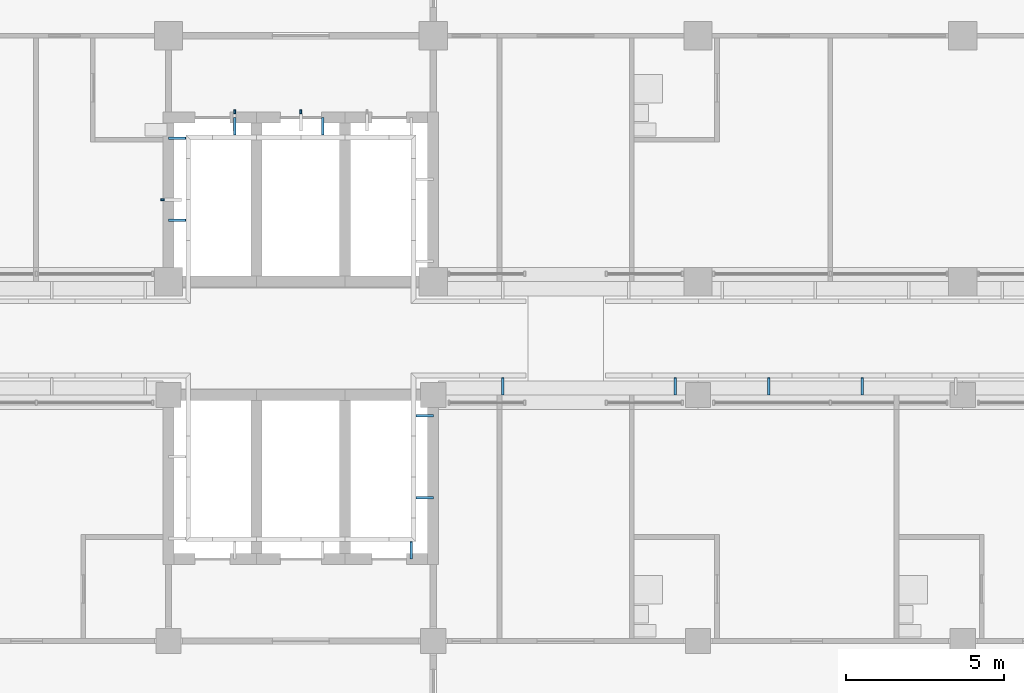
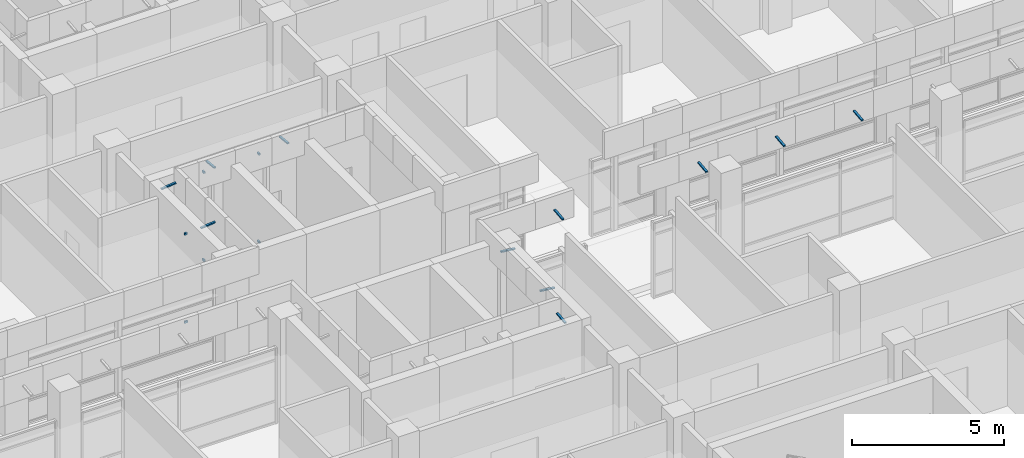
# One storey, part 100 of 137: 17 discrete accessories.
"""IFC4 building model written with IfcOpenShell, lengths in metres."""

import ifcopenshell
import ifcopenshell.guid

model = None  # the IFC model being written
_history = None  # IfcOwnerHistory: only IFC2X3 demands one
_inside = {}  # id of a spatial element -> (the spatial element, [elements in it])
_under = {}  # id of a project, library or spatial element -> (it, [spatial elements below it])
_declared = {}  # id of a project -> (the project, [libraries it declares])
_typed = {}  # id of a type object -> (the type object, [elements of that type])
_made_of = {}  # id of a material, layer set ... -> (it, [elements and type objects made of it])


def new_model(schema):
    """Start an empty IFC model of exactly this schema.

    Asked for "IFC4X3", IfcOpenShell would pick the latest addendum, in which some entities
    have other attributes; the version numbers below select the first issue.
    IFC2X3 requires an IfcOwnerHistory on every rooted entity: one is made here for all.
    """
    global model, _history
    if schema == "IFC4X3":
        model = ifcopenshell.file(schema_version=(4, 3, 0, 0))
    else:
        model = ifcopenshell.file(schema=schema)
    _inside.clear()
    _under.clear()
    _declared.clear()
    _typed.clear()
    _made_of.clear()
    _history = None
    if model.schema == "IFC2X3":
        org = make("IfcOrganization", Name="unknown")
        user = make(
            "IfcPersonAndOrganization",
            ThePerson=make("IfcPerson", FamilyName="unknown"),
            TheOrganization=org,
        )
        app = make(
            "IfcApplication",
            ApplicationDeveloper=org,
            Version="unknown",
            ApplicationFullName="unknown",
            ApplicationIdentifier="unknown",
        )
        _history = make(
            "IfcOwnerHistory",
            OwningUser=user,
            OwningApplication=app,
            ChangeAction="ADDED",
            CreationDate=0,
        )
    return model


def make(cls, **values):
    """One entity of the class cls with the attributes given. An attribute that is None is left unset."""
    return model.create_entity(
        cls, **{name: value for name, value in values.items() if value is not None}
    )


def rooted(cls, **values):
    """An entity with a GlobalId (a new one), such as an element, a storey or a relation."""
    return make(cls, GlobalId=ifcopenshell.guid.new(), OwnerHistory=_history, **values)


def si_unit(unit_type, name, prefix=None):
    """IfcSIUnit, for example si_unit("LENGTHUNIT", "METRE", prefix="MILLI")."""
    return make("IfcSIUnit", UnitType=unit_type, Prefix=prefix, Name=name)


def assignment(units):
    """IfcUnitAssignment: the units of a project."""
    return None if units is None else make("IfcUnitAssignment", Units=units)


def point(xyz):
    """IfcCartesianPoint."""
    return None if xyz is None else make("IfcCartesianPoint", Coordinates=xyz)


def direction(xyz):
    """IfcDirection."""
    return None if xyz is None else make("IfcDirection", DirectionRatios=xyz)


def frame(location, z_axis=None, x_axis=None):
    """IfcAxis2Placement3D, a coordinate frame: its origin and axes. An axis left out is left unset."""
    return make(
        "IfcAxis2Placement3D",
        Location=point(location),
        Axis=direction(z_axis),
        RefDirection=direction(x_axis),
    )


def frame_2d(location, x_axis=None):
    """IfcAxis2Placement2D, a coordinate frame in the plane: its origin and x axis."""
    return make(
        "IfcAxis2Placement2D", Location=point(location), RefDirection=direction(x_axis)
    )


def origin():
    """The frame at (0, 0, 0) with its axes left unset."""
    return frame((0.0, 0.0, 0.0))


def origin_2d():
    """The frame at (0, 0) in the plane with its x axis left unset."""
    return frame_2d((0.0, 0.0))


def place(relative_to, where):
    """IfcLocalPlacement: puts the frame where relative to a parent placement (None: the world)."""
    return make(
        "IfcLocalPlacement", PlacementRelTo=relative_to, RelativePlacement=where
    )


def context(
    kind, dimensions, precision=None, world=None, true_north=None, identifier=None
):
    """IfcGeometricRepresentationContext, for example the 3D "Model" context."""
    return make(
        "IfcGeometricRepresentationContext",
        ContextIdentifier=identifier,
        ContextType=kind,
        CoordinateSpaceDimension=dimensions,
        Precision=precision,
        WorldCoordinateSystem=world,
        TrueNorth=true_north,
    )


def subcontext(parent, identifier, kind, view, scale=None):
    """IfcGeometricRepresentationSubContext, for example "Body" below "Model"."""
    return make(
        "IfcGeometricRepresentationSubContext",
        ContextIdentifier=identifier,
        ContextType=kind,
        ParentContext=parent,
        TargetScale=scale,
        TargetView=view,
    )


def project(units=None, contexts=None):
    """IfcProject with its units and contexts."""
    return rooted(
        "IfcProject",
        Name="project",
        RepresentationContexts=contexts,
        UnitsInContext=assignment(units),
    )


def spatial(cls, under=None, at=None, **own):
    """A site, building, storey or space (cls), placed at a placement, below another one or the project."""
    s = rooted(cls, ObjectPlacement=at, **own)
    if under is not None:
        _under.setdefault(under.id(), (under, []))[1].append(s)
    return s


def profile(cls, at=None, kind="AREA", **sizes):
    """A parametric profile (cls). Its sizes go by their IFC names, for example OverallWidth=200.0."""
    return make(cls, ProfileType=kind, Position=at, **sizes)


def rectangle(**sizes):
    """IfcRectangleProfileDef."""
    return profile("IfcRectangleProfileDef", **sizes)


def extrude(swept, where, along, depth):
    """IfcExtrudedAreaSolid: the profile swept, set in the frame where, extruded along a direction by depth."""
    return make(
        "IfcExtrudedAreaSolid",
        SweptArea=swept,
        Position=where,
        ExtrudedDirection=direction(along),
        Depth=depth,
    )


def shape(context_of_items, identifier, shape_type, items):
    """IfcShapeRepresentation: the items that make up one representation, for example the "Body"."""
    return make(
        "IfcShapeRepresentation",
        ContextOfItems=context_of_items,
        RepresentationIdentifier=identifier,
        RepresentationType=shape_type,
        Items=items,
    )


def material(Name=None, Category=None):
    """IfcMaterial."""
    return make("IfcMaterial", Name=Name, Category=Category)


def material_profile(
    of_material, cross_section, Name=None, Category=None, Priority=None
):
    """IfcMaterialProfile: a cross section and its material."""
    return make(
        "IfcMaterialProfile",
        Name=Name,
        Material=of_material,
        Profile=cross_section,
        Priority=Priority,
        Category=Category,
    )


def profile_set(profiles, Name=None, composite=None):
    """IfcMaterialProfileSet."""
    return make(
        "IfcMaterialProfileSet",
        Name=Name,
        MaterialProfiles=profiles,
        CompositeProfile=composite,
    )


def made_of(thing, what):
    """Note that an element or type object is made of a material, layer set ...; save() writes the relation."""
    if what is not None:
        _made_of.setdefault(what.id(), (what, []))[1].append(thing)
    return thing


def type_object(cls, material=None, **own):
    """A type object (cls), such as IfcWallType, which elements share."""
    return made_of(rooted(cls, **own), material)


def element(
    cls,
    number,
    at=None,
    inside=None,
    cuts=None,
    type_object=None,
    material=None,
    context=None,
    identifier="Body",
    shape_type=None,
    held_by="IfcProductDefinitionShape",
    body=None,
    shapes=None,
    **own,
):
    """One element of the class cls, such as IfcWall. Its Tag is "e" and its number.

    at: its placement. inside: the storey or other place that contains it. cuts: it is an
    opening in that element (IfcRelVoidsElement). A single representation is given by context,
    identifier, shape_type and body (its items); several are given by shapes. held_by: the class
    of the entity that holds the representations. save() writes the other relations.
    """
    e = rooted(cls, Tag="e%d" % number, ObjectPlacement=at, **own)
    if body is not None:
        shapes = [shape(context, identifier, shape_type, body)]
    if shapes is not None:
        e.Representation = make(held_by, Representations=shapes)
    if inside is not None:
        _inside.setdefault(inside.id(), (inside, []))[1].append(e)
    if cuts is not None:
        rooted(
            "IfcRelVoidsElement", RelatingBuildingElement=cuts, RelatedOpeningElement=e
        )
    if type_object is not None:
        _typed.setdefault(type_object.id(), (type_object, []))[1].append(e)
    return made_of(e, material)


def aggregate(whole, parts):
    """IfcRelAggregates: a whole, such as a stair, and the parts it consists of."""
    return rooted("IfcRelAggregates", RelatingObject=whole, RelatedObjects=parts)


def save(model, path):
    """Write the relations noted so far, then the file.

    IfcRelAggregates (storeys below a building ...), IfcRelContainedInSpatialStructure (elements
    in a storey), IfcRelDefinesByType, IfcRelAssociatesMaterial and IfcRelDeclares: one each for
    every whole, place, type object, material and project.
    """
    for whole, parts in _under.values():
        aggregate(whole, parts)
    for where, things in _inside.values():
        rooted(
            "IfcRelContainedInSpatialStructure",
            RelatedElements=things,
            RelatingStructure=where,
        )
    for kind, things in _typed.values():
        rooted("IfcRelDefinesByType", RelatedObjects=things, RelatingType=kind)
    for what, things in _made_of.values():
        rooted("IfcRelAssociatesMaterial", RelatedObjects=things, RelatingMaterial=what)
    for by, libraries in _declared.values():
        rooted("IfcRelDeclares", RelatingContext=by, RelatedDefinitions=libraries)
    model.write(path)


model = new_model("IFC4")

# Units and contexts
model_context = context("Model", 3, precision=1e-05, world=origin(), true_north=direction((0.0, 1.0)))
body_context = subcontext(model_context, "Body", "Model", "MODEL_VIEW")
ifc_project = project(units=[si_unit("LENGTHUNIT", "METRE"), si_unit("AREAUNIT", "SQUARE_METRE"), si_unit("VOLUMEUNIT", "CUBIC_METRE"), si_unit("PLANEANGLEUNIT", "RADIAN"), si_unit("MASSUNIT", "GRAM", prefix="KILO")], contexts=[model_context])

# Site, building, storey
site_placement = place(None, origin())
site = spatial("IfcSite", under=ifc_project, at=site_placement, CompositionType="ELEMENT")
building_placement = place(site_placement, origin())
building = spatial("IfcBuilding", under=site, at=building_placement, Name="Bougainvillea Quay General Hospital", CompositionType="ELEMENT")
storey_placement = place(building_placement, frame((0.0, 0.0, 16.800048828125)))
storey = spatial("IfcBuildingStorey", under=building, at=storey_placement, Name="L03", CompositionType="ELEMENT", Elevation=16.800048828125)

# Discrete accessories
ifc_material = material(Name="Stainless steel bracket, grade 316", Category="steel")
discrete_accessory_type_1 = type_object("IfcDiscreteAccessoryType", Name="Stainless steel fin arm 60x80", PredefinedType="BRACKET", material=ifc_material)
for number, where, z_axis, x_axis, name in (
    (1, (67.010009765625, 143.0, 0.0), (0.0, 0.0, 1.0), (1.0, 0.0, 0.0), "Fin arm V5A L03 017.1B"),
    (2, (67.010009765625, 143.0, 3.5498046875), (0.0, 0.0, 1.0), (1.0, 0.0, 0.0), "Fin arm V5A L03 017.1T"),
    (3, (71.39990234375, 145.7900390625, 0.0), (0.0, 0.0, 1.0), (0.0, -1.0, 0.0), "Fin arm V5A L03 018.2B"),
    (4, (71.39990234375, 145.7900390625, 3.5498046875), (0.0, 0.0, 1.0), (0.0, -1.0, 0.0), "Fin arm V5A L03 018.2T"),
    (5, (69.300048828125, 145.7900390625, 0.0), (0.0, 0.0, 1.0), (0.0, -1.0, 0.0), "Fin arm V5A L03 018.3B"),
    (6, (69.300048828125, 145.7900390625, 3.5498046875), (0.0, 0.0, 1.0), (0.0, -1.0, 0.0), "Fin arm V5A L03 018.3T"),
):
    element("IfcDiscreteAccessory", number, at=place(storey_placement, frame(where, z_axis=z_axis, x_axis=x_axis)), inside=storey, type_object=discrete_accessory_type_1, Name=name, PredefinedType="BRACKET", context=body_context, shape_type="SweptSolid", body=[
        extrude(rectangle(XDim=0.1201171875, YDim=0.06005859375, at=origin_2d()), origin(), (0.0, 0.0, 1.0), 0.080078125),
    ])
ifc_material_profile = material_profile(ifc_material, rectangle(XDim=0.080078125, YDim=0.050048828125, at=origin_2d()))
ifc_profile_set = profile_set([ifc_material_profile], Name="Stainless steel bracket, grade 316")
discrete_accessory_type_2 = type_object("IfcDiscreteAccessoryType", Name="Stainless steel stand-off bracket 80x50", PredefinedType="BRACKET", material=ifc_profile_set)
for number, where, z_axis, x_axis, name in (
    (7, (67.199951171875, 142.35009765625, 4.139892578125), (0.994091793559, 0.0, 0.108542645901), (0.0, 1.0, 0.0), "Fascia bracket e0 197"),
    (8, (67.199951171875, 144.949951171875, 4.139892578125), (0.994091793559, 0.0, 0.108542645901), (0.0, 1.0, 0.0), "Fascia bracket e0 199"),
    (9, (69.300048828125, 145.60009765625, 4.139892578125), (0.0, -0.994091793559, 0.108542645901), (1.0, 0.0, 0.0), "Fascia bracket e0 201"),
    (10, (72.10009765625, 145.60009765625, 4.139892578125), (0.0, -0.994091793559, 0.108542645901), (1.0, 0.0, 0.0), "Fascia bracket e0 203"),
    (11, (77.804931640625, 136.800048828125, 4.139892578125), (0.0, 0.994091793559, 0.108542645901), (-1.0, 0.0, 0.0), "Fascia bracket e0 1"),
    (12, (75.60009765625, 136.14990234375, 4.139892578125), (-0.994091793559, 0.0, 0.108542645901), (0.0, -1.0, 0.0), "Fascia bracket e0 3"),
    (13, (75.60009765625, 133.550048828125, 4.139892578125), (-0.994091793559, 0.0, 0.108542645901), (0.0, -1.0, 0.0), "Fascia bracket e0 5"),
):
    element("IfcDiscreteAccessory", number, at=place(storey_placement, frame(where, z_axis=z_axis, x_axis=x_axis)), inside=storey, type_object=discrete_accessory_type_2, Name=name, PredefinedType="BRACKET", context=body_context, shape_type="SweptSolid", body=[
        extrude(rectangle(XDim=0.080078125, YDim=0.050048828125, at=origin_2d()), origin(), (0.0, 0.0, 1.0), 0.55322265625),
    ])
discrete_accessory_placement = place(storey_placement, frame((74.89990234375, 131.60009765625, 4.139892578125), z_axis=(0.0, 0.994086591779, 0.108590276011), x_axis=(-1.0, 0.0, 0.0)))
element("IfcDiscreteAccessory", 14, at=discrete_accessory_placement, inside=storey, type_object=discrete_accessory_type_2, Name="Fascia bracket e0 7", PredefinedType="BRACKET", context=body_context, shape_type="SweptSolid", body=[
    extrude(rectangle(XDim=0.080078125, YDim=0.050048828125, at=origin_2d()), origin(), (0.0, 0.0, 1.0), 0.552978515625),
])
for number, where, z_axis, x_axis, name in (
    (15, (89.209228515625, 136.800048828125, 4.139892578125), (0.0, 0.994091793559, 0.108542645901), (-1.0, 0.0, 0.0), "Fascia bracket e1 145"),
    (16, (86.245849609375, 136.800048828125, 4.139892578125), (0.0, 0.994091793559, 0.108542645901), (-1.0, 0.0, 0.0), "Fascia bracket e1 147"),
    (17, (83.282470703125, 136.800048828125, 4.139892578125), (0.0, 0.994091793559, 0.108542645901), (-1.0, 0.0, 0.0), "Fascia bracket e1 149"),
):
    element("IfcDiscreteAccessory", number, at=place(storey_placement, frame(where, z_axis=z_axis, x_axis=x_axis)), inside=storey, type_object=discrete_accessory_type_2, Name=name, PredefinedType="BRACKET", context=body_context, shape_type="SweptSolid", body=[
        extrude(rectangle(XDim=0.080078125, YDim=0.050048828125, at=origin_2d()), origin(), (0.0, 0.0, 1.0), 0.55322265625),
    ])

save(model, "model.ifc")
